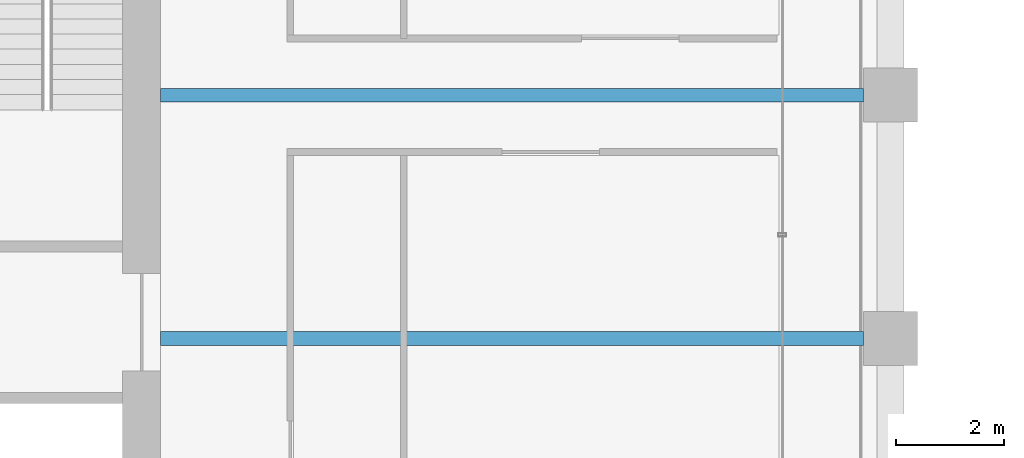
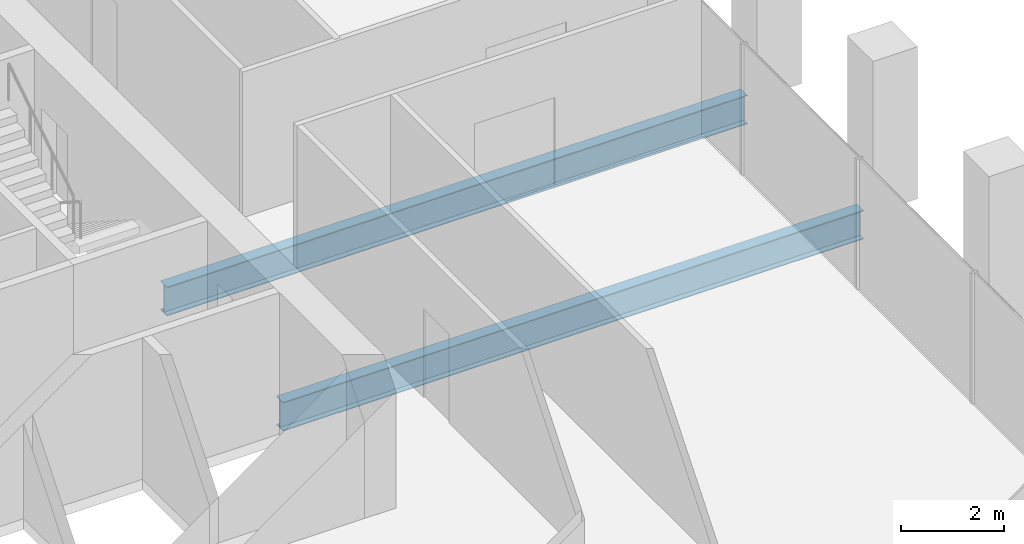
# One storey, part 16 of 46: 2 beams.
"""IFC4 building model written with IfcOpenShell, lengths in metres."""

import ifcopenshell
import ifcopenshell.guid

model = None  # the IFC model being written
_history = None  # IfcOwnerHistory: only IFC2X3 demands one
_inside = {}  # id of a spatial element -> (the spatial element, [elements in it])
_under = {}  # id of a project, library or spatial element -> (it, [spatial elements below it])
_declared = {}  # id of a project -> (the project, [libraries it declares])
_typed = {}  # id of a type object -> (the type object, [elements of that type])
_made_of = {}  # id of a material, layer set ... -> (it, [elements and type objects made of it])


def new_model(schema):
    """Start an empty IFC model of exactly this schema.

    Asked for "IFC4X3", IfcOpenShell would pick the latest addendum, in which some entities
    have other attributes; the version numbers below select the first issue.
    IFC2X3 requires an IfcOwnerHistory on every rooted entity: one is made here for all.
    """
    global model, _history
    if schema == "IFC4X3":
        model = ifcopenshell.file(schema_version=(4, 3, 0, 0))
    else:
        model = ifcopenshell.file(schema=schema)
    _inside.clear()
    _under.clear()
    _declared.clear()
    _typed.clear()
    _made_of.clear()
    _history = None
    if model.schema == "IFC2X3":
        org = make("IfcOrganization", Name="unknown")
        user = make(
            "IfcPersonAndOrganization",
            ThePerson=make("IfcPerson", FamilyName="unknown"),
            TheOrganization=org,
        )
        app = make(
            "IfcApplication",
            ApplicationDeveloper=org,
            Version="unknown",
            ApplicationFullName="unknown",
            ApplicationIdentifier="unknown",
        )
        _history = make(
            "IfcOwnerHistory",
            OwningUser=user,
            OwningApplication=app,
            ChangeAction="ADDED",
            CreationDate=0,
        )
    return model


def make(cls, **values):
    """One entity of the class cls with the attributes given. An attribute that is None is left unset."""
    return model.create_entity(
        cls, **{name: value for name, value in values.items() if value is not None}
    )


def rooted(cls, **values):
    """An entity with a GlobalId (a new one), such as an element, a storey or a relation."""
    return make(cls, GlobalId=ifcopenshell.guid.new(), OwnerHistory=_history, **values)


def si_unit(unit_type, name, prefix=None):
    """IfcSIUnit, for example si_unit("LENGTHUNIT", "METRE", prefix="MILLI")."""
    return make("IfcSIUnit", UnitType=unit_type, Prefix=prefix, Name=name)


def assignment(units):
    """IfcUnitAssignment: the units of a project."""
    return None if units is None else make("IfcUnitAssignment", Units=units)


def point(xyz):
    """IfcCartesianPoint."""
    return None if xyz is None else make("IfcCartesianPoint", Coordinates=xyz)


def direction(xyz):
    """IfcDirection."""
    return None if xyz is None else make("IfcDirection", DirectionRatios=xyz)


def frame(location, z_axis=None, x_axis=None):
    """IfcAxis2Placement3D, a coordinate frame: its origin and axes. An axis left out is left unset."""
    return make(
        "IfcAxis2Placement3D",
        Location=point(location),
        Axis=direction(z_axis),
        RefDirection=direction(x_axis),
    )


def frame_2d(location, x_axis=None):
    """IfcAxis2Placement2D, a coordinate frame in the plane: its origin and x axis."""
    return make(
        "IfcAxis2Placement2D", Location=point(location), RefDirection=direction(x_axis)
    )


def origin():
    """The frame at (0, 0, 0) with its axes left unset."""
    return frame((0.0, 0.0, 0.0))


def origin_2d():
    """The frame at (0, 0) in the plane with its x axis left unset."""
    return frame_2d((0.0, 0.0))


def place(relative_to, where):
    """IfcLocalPlacement: puts the frame where relative to a parent placement (None: the world)."""
    return make(
        "IfcLocalPlacement", PlacementRelTo=relative_to, RelativePlacement=where
    )


def context(
    kind, dimensions, precision=None, world=None, true_north=None, identifier=None
):
    """IfcGeometricRepresentationContext, for example the 3D "Model" context."""
    return make(
        "IfcGeometricRepresentationContext",
        ContextIdentifier=identifier,
        ContextType=kind,
        CoordinateSpaceDimension=dimensions,
        Precision=precision,
        WorldCoordinateSystem=world,
        TrueNorth=true_north,
    )


def subcontext(parent, identifier, kind, view, scale=None):
    """IfcGeometricRepresentationSubContext, for example "Body" below "Model"."""
    return make(
        "IfcGeometricRepresentationSubContext",
        ContextIdentifier=identifier,
        ContextType=kind,
        ParentContext=parent,
        TargetScale=scale,
        TargetView=view,
    )


def project(units=None, contexts=None):
    """IfcProject with its units and contexts."""
    return rooted(
        "IfcProject",
        Name="project",
        RepresentationContexts=contexts,
        UnitsInContext=assignment(units),
    )


def spatial(cls, under=None, at=None, **own):
    """A site, building, storey or space (cls), placed at a placement, below another one or the project."""
    s = rooted(cls, ObjectPlacement=at, **own)
    if under is not None:
        _under.setdefault(under.id(), (under, []))[1].append(s)
    return s


def profile(cls, at=None, kind="AREA", **sizes):
    """A parametric profile (cls). Its sizes go by their IFC names, for example OverallWidth=200.0."""
    return make(cls, ProfileType=kind, Position=at, **sizes)


def i_section(**sizes):
    """IfcIShapeProfileDef."""
    return profile("IfcIShapeProfileDef", **sizes)


def extrude(swept, where, along, depth):
    """IfcExtrudedAreaSolid: the profile swept, set in the frame where, extruded along a direction by depth."""
    return make(
        "IfcExtrudedAreaSolid",
        SweptArea=swept,
        Position=where,
        ExtrudedDirection=direction(along),
        Depth=depth,
    )


def shape(context_of_items, identifier, shape_type, items):
    """IfcShapeRepresentation: the items that make up one representation, for example the "Body"."""
    return make(
        "IfcShapeRepresentation",
        ContextOfItems=context_of_items,
        RepresentationIdentifier=identifier,
        RepresentationType=shape_type,
        Items=items,
    )


def material(Name=None, Category=None):
    """IfcMaterial."""
    return make("IfcMaterial", Name=Name, Category=Category)


def material_profile(
    of_material, cross_section, Name=None, Category=None, Priority=None
):
    """IfcMaterialProfile: a cross section and its material."""
    return make(
        "IfcMaterialProfile",
        Name=Name,
        Material=of_material,
        Profile=cross_section,
        Priority=Priority,
        Category=Category,
    )


def profile_set(profiles, Name=None, composite=None):
    """IfcMaterialProfileSet."""
    return make(
        "IfcMaterialProfileSet",
        Name=Name,
        MaterialProfiles=profiles,
        CompositeProfile=composite,
    )


def made_of(thing, what):
    """Note that an element or type object is made of a material, layer set ...; save() writes the relation."""
    if what is not None:
        _made_of.setdefault(what.id(), (what, []))[1].append(thing)
    return thing


def type_object(cls, material=None, **own):
    """A type object (cls), such as IfcWallType, which elements share."""
    return made_of(rooted(cls, **own), material)


def element(
    cls,
    number,
    at=None,
    inside=None,
    cuts=None,
    type_object=None,
    material=None,
    context=None,
    identifier="Body",
    shape_type=None,
    held_by="IfcProductDefinitionShape",
    body=None,
    shapes=None,
    **own,
):
    """One element of the class cls, such as IfcWall. Its Tag is "e" and its number.

    at: its placement. inside: the storey or other place that contains it. cuts: it is an
    opening in that element (IfcRelVoidsElement). A single representation is given by context,
    identifier, shape_type and body (its items); several are given by shapes. held_by: the class
    of the entity that holds the representations. save() writes the other relations.
    """
    e = rooted(cls, Tag="e%d" % number, ObjectPlacement=at, **own)
    if body is not None:
        shapes = [shape(context, identifier, shape_type, body)]
    if shapes is not None:
        e.Representation = make(held_by, Representations=shapes)
    if inside is not None:
        _inside.setdefault(inside.id(), (inside, []))[1].append(e)
    if cuts is not None:
        rooted(
            "IfcRelVoidsElement", RelatingBuildingElement=cuts, RelatedOpeningElement=e
        )
    if type_object is not None:
        _typed.setdefault(type_object.id(), (type_object, []))[1].append(e)
    return made_of(e, material)


def aggregate(whole, parts):
    """IfcRelAggregates: a whole, such as a stair, and the parts it consists of."""
    return rooted("IfcRelAggregates", RelatingObject=whole, RelatedObjects=parts)


def save(model, path):
    """Write the relations noted so far, then the file.

    IfcRelAggregates (storeys below a building ...), IfcRelContainedInSpatialStructure (elements
    in a storey), IfcRelDefinesByType, IfcRelAssociatesMaterial and IfcRelDeclares: one each for
    every whole, place, type object, material and project.
    """
    for whole, parts in _under.values():
        aggregate(whole, parts)
    for where, things in _inside.values():
        rooted(
            "IfcRelContainedInSpatialStructure",
            RelatedElements=things,
            RelatingStructure=where,
        )
    for kind, things in _typed.values():
        rooted("IfcRelDefinesByType", RelatedObjects=things, RelatingType=kind)
    for what, things in _made_of.values():
        rooted("IfcRelAssociatesMaterial", RelatedObjects=things, RelatingMaterial=what)
    for by, libraries in _declared.values():
        rooted("IfcRelDeclares", RelatingContext=by, RelatedDefinitions=libraries)
    model.write(path)


model = new_model("IFC4")

# Units and contexts
model_context = context("Model", 3, precision=1e-05, world=origin(), true_north=direction((0.0, 1.0)))
body_context = subcontext(model_context, "Body", "Model", "MODEL_VIEW")
ifc_project = project(units=[si_unit("LENGTHUNIT", "METRE"), si_unit("AREAUNIT", "SQUARE_METRE"), si_unit("VOLUMEUNIT", "CUBIC_METRE"), si_unit("PLANEANGLEUNIT", "RADIAN"), si_unit("MASSUNIT", "GRAM", prefix="KILO")], contexts=[model_context])

# Site, building, storey
site_placement = place(None, origin())
site = spatial("IfcSite", under=ifc_project, at=site_placement, CompositionType="ELEMENT")
building_placement = place(site_placement, origin())
building = spatial("IfcBuilding", under=site, at=building_placement, Name="Altepetl Exchange Towers", CompositionType="ELEMENT")
storey_placement = place(building_placement, frame((0.0, 0.0, 102.800048828125)))
storey = spatial("IfcBuildingStorey", under=building, at=storey_placement, Name="L25", CompositionType="ELEMENT", Elevation=102.800048828125)

# Beams
ifc_material = material(Name="Steel S355", Category="steel")
ifc_material_profile = material_profile(ifc_material, i_section(OverallWidth=0.25390625, OverallDepth=0.68408203125, WebThickness=0.012451171875, FlangeThickness=0.018798828125, at=origin_2d()), Name="W27X94")
ifc_profile_set = profile_set([ifc_material_profile], Name="Steel S355")
beam_type = type_object("IfcBeamType", Name="Floor beam W27X94", PredefinedType="BEAM", material=ifc_profile_set)
for number, where, z_axis, x_axis, name in (
    (1, (58.5, 45.0, -0.491943359375), (1.0, 0.0, 0.0), (0.0, 1.0, 0.0), "bm:A:L25:009"),
    (2, (58.5, 49.5, -0.491943359375), (1.0, 0.0, 0.0), (0.0, 1.0, 0.0), "bm:A:L25:010"),
):
    element("IfcBeam", number, at=place(storey_placement, frame(where, z_axis=z_axis, x_axis=x_axis)), inside=storey, type_object=beam_type, Name=name, PredefinedType="BEAM", context=body_context, shape_type="SweptSolid", body=[
        extrude(i_section(OverallWidth=0.25390625, OverallDepth=0.68408203125, WebThickness=0.012451171875, FlangeThickness=0.018798828125, at=origin_2d()), origin(), (0.0, 0.0, 1.0), 13.0),
    ])

save(model, "model.ifc")
